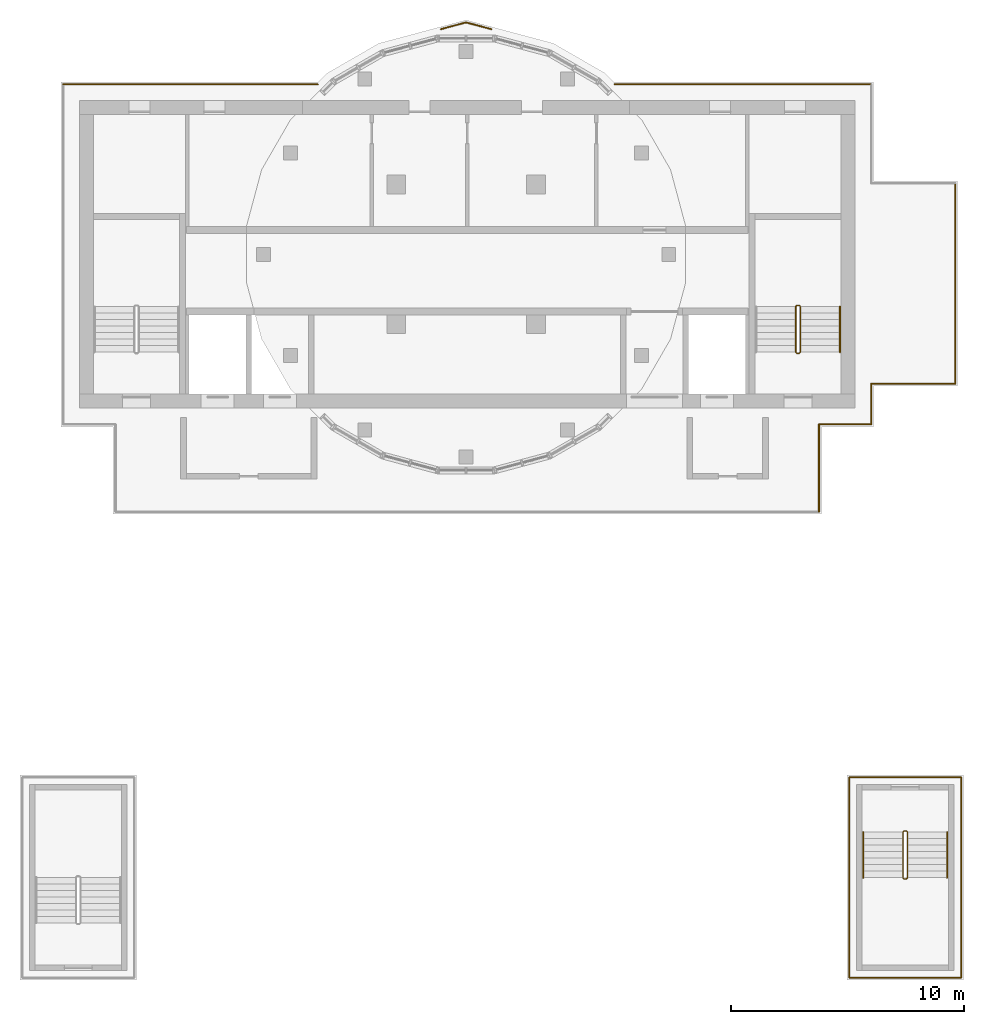
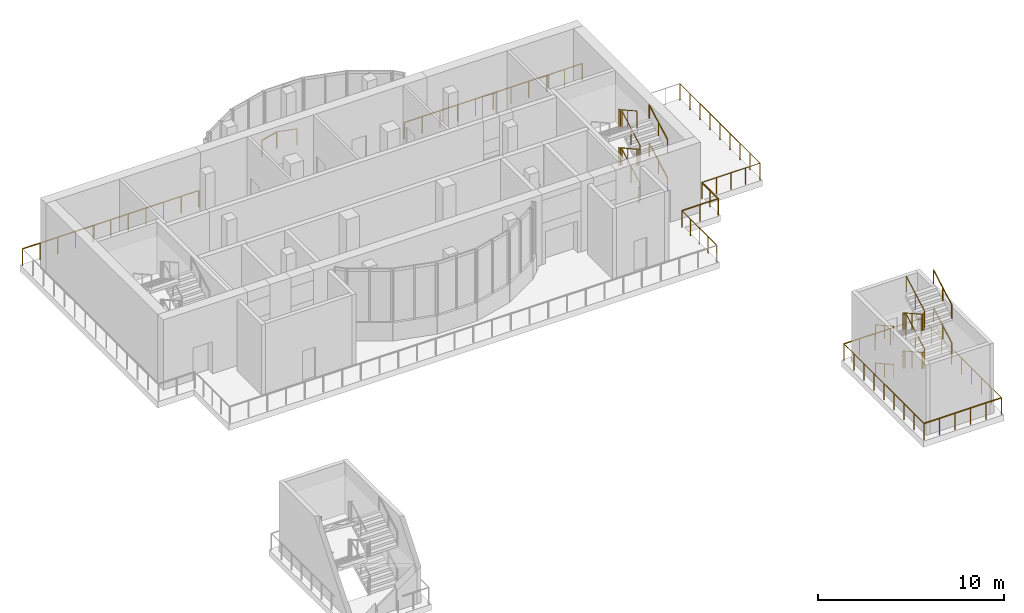
# One storey, part 9 of 10: 21 railings.
"""IFC4 building model written with IfcOpenShell, lengths in metres."""

from ifc_helpers import new_model, si_unit, direction, frame, origin, origin_2d, place, context, subcontext, project, spatial, circle, extrude, material, type_object, element, save


model = new_model("IFC4")

# Units and contexts
model_context = context("Model", 3, precision=1e-05, world=origin(), true_north=direction((0.0, 1.0)))
body_context = subcontext(model_context, "Body", "Model", "MODEL_VIEW")
ifc_project = project(units=[si_unit("LENGTHUNIT", "METRE"), si_unit("AREAUNIT", "SQUARE_METRE"), si_unit("VOLUMEUNIT", "CUBIC_METRE"), si_unit("PLANEANGLEUNIT", "RADIAN"), si_unit("MASSUNIT", "GRAM", prefix="KILO")], contexts=[model_context])

# Site, building, storey
site_placement = place(None, origin())
site = spatial("IfcSite", under=ifc_project, at=site_placement, CompositionType="ELEMENT")
building_placement = place(site_placement, origin())
building = spatial("IfcBuilding", under=site, at=building_placement, Name="Kilnfold Tower and Market Hall", CompositionType="ELEMENT")
storey_placement = place(building_placement, frame((0.0, 0.0, 323.800048828125)))
storey = spatial("IfcBuildingStorey", under=building, at=storey_placement, Name="L81 Crown Plant", CompositionType="ELEMENT", Elevation=323.800048828125)

# Railings
ifc_material_1 = material(Name="Stainless steel 316", Category="steel")
railing_type_1 = type_object("IfcRailingType", Name="CORE STAIR GUARD 1100", PredefinedType="GUARDRAIL", material=ifc_material_1)
railing_1_placement = place(storey_placement, frame((15.199951171875, 10.75, 0.0)))
element("IfcRailing", 1, at=railing_1_placement, inside=storey, type_object=railing_type_1, Name="L81 Crown Plant ST2 stair guard 1", PredefinedType="GUARDRAIL", context=body_context, shape_type="SweptSolid", body=[
    extrude(circle(Radius=0.02392578125, at=origin_2d()), frame((0.0, 0.0, 1.076171875), z_axis=(1.0, 0.0, 0.0), x_axis=(0.0, 1.0, 0.0)), (0.0, 0.0, 1.0), 0.10009765625),
    extrude(circle(Radius=0.02392578125, at=origin_2d()), frame((0.10009765625, 0.0, 1.076171875), z_axis=(0.29177245553, 0.29177245553, 0.91089937336), x_axis=(-0.707106781187, 0.707106781187, 0.0)), (0.0, 0.0, 1.0), 0.171630859375),
    extrude(circle(Radius=0.02392578125, at=origin_2d()), frame((0.150146484375, 0.050048828125, 1.232421875), z_axis=(0.0, 0.873232148454, 0.487304437602), x_axis=(-1.0, 0.0, 0.0)), (0.0, 0.0, 1.0), 2.244384765625),
    extrude(circle(Radius=0.02392578125, at=origin_2d()), frame((0.150146484375, 2.010009765625, 2.326171875), z_axis=(-0.707106781187, 0.707106781187, 0.0), x_axis=(-0.707106781187, -0.707106781187, 0.0)), (0.0, 0.0, 1.0), 0.07080078125),
    extrude(circle(Radius=0.02392578125, at=origin_2d()), frame((0.10009765625, 2.06005859375, 2.326171875), z_axis=(-1.0, 0.0, 0.0), x_axis=(0.0, -1.0, 0.0)), (0.0, 0.0, 1.0), 0.10009765625),
    extrude(circle(Radius=0.02392578125, at=origin_2d()), frame((0.0, 2.06005859375, 2.326171875), z_axis=(-0.29177245553, -0.29177245553, 0.91089937336), x_axis=(0.707106781187, -0.707106781187, 0.0)), (0.0, 0.0, 1.0), 0.171630859375),
    extrude(circle(Radius=0.02392578125, at=origin_2d()), frame((-0.050048828125, 2.010009765625, 2.482421875), z_axis=(0.0, -0.873232148454, 0.487304437602), x_axis=(1.0, 0.0, 0.0)), (0.0, 0.0, 1.0), 2.244384765625),
    extrude(circle(Radius=0.02392578125, at=origin_2d()), frame((-0.050048828125, 0.050048828125, 3.576171875), z_axis=(0.707106781187, -0.707106781187, 0.0), x_axis=(0.707106781187, 0.707106781187, 0.0)), (0.0, 0.0, 1.0), 0.07080078125),
    extrude(circle(Radius=0.02392578125, at=origin_2d()), frame((0.0, 0.0, 3.576171875), z_axis=(1.0, 0.0, 0.0), x_axis=(0.0, 1.0, 0.0)), (0.0, 0.0, 1.0), 0.10009765625),
    extrude(circle(Radius=0.02392578125, at=origin_2d()), frame((0.10009765625, 0.0, 3.576171875), z_axis=(0.29177245553, 0.29177245553, 0.91089937336), x_axis=(-0.707106781187, 0.707106781187, 0.0)), (0.0, 0.0, 1.0), 0.171630859375),
    extrude(circle(Radius=0.02392578125, at=origin_2d()), frame((0.150146484375, 0.050048828125, 3.732421875), z_axis=(0.0, 0.873232148454, 0.487304437602), x_axis=(-1.0, 0.0, 0.0)), (0.0, 0.0, 1.0), 2.244384765625),
    extrude(circle(Radius=0.02392578125, at=origin_2d()), frame((0.150146484375, 2.010009765625, 4.826171875), z_axis=(-0.707106781187, 0.707106781187, 0.0), x_axis=(-0.707106781187, -0.707106781187, 0.0)), (0.0, 0.0, 1.0), 0.07080078125),
    extrude(circle(Radius=0.02392578125, at=origin_2d()), frame((0.10009765625, 2.06005859375, 4.826171875), z_axis=(-1.0, 0.0, 0.0), x_axis=(0.0, -1.0, 0.0)), (0.0, 0.0, 1.0), 0.10009765625),
    extrude(circle(Radius=0.02392578125, at=origin_2d()), frame((0.0, 2.06005859375, 4.826171875), z_axis=(-0.29177245553, -0.29177245553, 0.91089937336), x_axis=(0.707106781187, -0.707106781187, 0.0)), (0.0, 0.0, 1.0), 0.171630859375),
    extrude(circle(Radius=0.02392578125, at=origin_2d()), frame((-0.050048828125, 2.010009765625, 4.982421875), z_axis=(0.0, -0.873232148454, 0.487304437602), x_axis=(1.0, 0.0, 0.0)), (0.0, 0.0, 1.0), 2.244384765625),
    extrude(circle(Radius=0.02099609375, at=origin_2d()), origin(), (0.0, 0.0, 1.0), 1.052001953125),
    extrude(circle(Radius=0.02099609375, at=origin_2d()), frame((0.10009765625, 0.0, 0.0)), (0.0, 0.0, 1.0), 1.052001953125),
    extrude(circle(Radius=0.02099609375, at=origin_2d()), frame((0.150146484375, 0.050048828125, 0.15625)), (0.0, 0.0, 1.0), 1.052001953125),
    extrude(circle(Radius=0.02099609375, at=origin_2d()), frame((0.150146484375, 1.030029296875, 0.703125)), (0.0, 0.0, 1.0), 1.052001953125),
    extrude(circle(Radius=0.02099609375, at=origin_2d()), frame((0.150146484375, 2.010009765625, 1.25)), (0.0, 0.0, 1.0), 1.052001953125),
    extrude(circle(Radius=0.02099609375, at=origin_2d()), frame((0.10009765625, 2.06005859375, 1.25)), (0.0, 0.0, 1.0), 1.052001953125),
    extrude(circle(Radius=0.02099609375, at=origin_2d()), frame((0.0, 2.06005859375, 1.25)), (0.0, 0.0, 1.0), 1.052001953125),
    extrude(circle(Radius=0.02099609375, at=origin_2d()), frame((-0.050048828125, 2.010009765625, 1.40625)), (0.0, 0.0, 1.0), 1.052001953125),
    extrude(circle(Radius=0.02099609375, at=origin_2d()), frame((-0.050048828125, 1.030029296875, 1.953125)), (0.0, 0.0, 1.0), 1.052001953125),
    extrude(circle(Radius=0.02099609375, at=origin_2d()), frame((-0.050048828125, 0.050048828125, 2.5)), (0.0, 0.0, 1.0), 1.052001953125),
    extrude(circle(Radius=0.02099609375, at=origin_2d()), frame((0.0, 0.0, 2.5)), (0.0, 0.0, 1.0), 1.052001953125),
    extrude(circle(Radius=0.02099609375, at=origin_2d()), frame((0.10009765625, 0.0, 2.5)), (0.0, 0.0, 1.0), 1.052001953125),
    extrude(circle(Radius=0.02099609375, at=origin_2d()), frame((0.150146484375, 0.050048828125, 2.65625)), (0.0, 0.0, 1.0), 1.052001953125),
    extrude(circle(Radius=0.02099609375, at=origin_2d()), frame((0.150146484375, 1.030029296875, 3.203125)), (0.0, 0.0, 1.0), 1.052001953125),
    extrude(circle(Radius=0.02099609375, at=origin_2d()), frame((0.150146484375, 2.010009765625, 3.75)), (0.0, 0.0, 1.0), 1.052001953125),
    extrude(circle(Radius=0.02099609375, at=origin_2d()), frame((0.10009765625, 2.06005859375, 3.75)), (0.0, 0.0, 1.0), 1.052001953125),
    extrude(circle(Radius=0.02099609375, at=origin_2d()), frame((0.0, 2.06005859375, 3.75)), (0.0, 0.0, 1.0), 1.052001953125),
    extrude(circle(Radius=0.02099609375, at=origin_2d()), frame((-0.050048828125, 2.010009765625, 3.90625)), (0.0, 0.0, 1.0), 1.052001953125),
    extrude(circle(Radius=0.02099609375, at=origin_2d()), frame((-0.050048828125, 1.030029296875, 4.453125)), (0.0, 0.0, 1.0), 1.052001953125),
    extrude(circle(Radius=0.02099609375, at=origin_2d()), frame((-0.050048828125, 0.050048828125, 5.0)), (0.0, 0.0, 1.0), 1.052001953125),
])
railing_2_placement = place(storey_placement, frame((19.89990234375, -9.75, 0.0)))
element("IfcRailing", 2, at=railing_2_placement, inside=storey, type_object=railing_type_1, Name="L81 Crown Plant ST4 stair guard 1", PredefinedType="GUARDRAIL", context=body_context, shape_type="SweptSolid", body=[
    extrude(circle(Radius=0.02392578125, at=origin_2d()), frame((0.0, 0.0, 1.076171875), z_axis=(-1.0, 0.0, 0.0), x_axis=(0.0, -1.0, 0.0)), (0.0, 0.0, 1.0), 0.099853515625),
    extrude(circle(Radius=0.02392578125, at=origin_2d()), frame((-0.099853515625, 0.0, 1.076171875), z_axis=(-0.29177245553, -0.29177245553, 0.91089937336), x_axis=(0.707106781187, -0.707106781187, 0.0)), (0.0, 0.0, 1.0), 0.171630859375),
    extrude(circle(Radius=0.02392578125, at=origin_2d()), frame((-0.14990234375, -0.050048828125, 1.232421875), z_axis=(0.0, -0.873232148454, 0.487304437602), x_axis=(1.0, 0.0, 0.0)), (0.0, 0.0, 1.0), 2.244384765625),
    extrude(circle(Radius=0.02392578125, at=origin_2d()), frame((-0.14990234375, -2.010009765625, 2.326171875), z_axis=(0.707106781187, -0.707106781187, 0.0), x_axis=(0.707106781187, 0.707106781187, 0.0)), (0.0, 0.0, 1.0), 0.07080078125),
    extrude(circle(Radius=0.02392578125, at=origin_2d()), frame((-0.099853515625, -2.06005859375, 2.326171875), z_axis=(1.0, 0.0, 0.0), x_axis=(0.0, 1.0, 0.0)), (0.0, 0.0, 1.0), 0.099853515625),
    extrude(circle(Radius=0.02392578125, at=origin_2d()), frame((0.0, -2.06005859375, 2.326171875), z_axis=(0.29177245553, 0.29177245553, 0.91089937336), x_axis=(-0.707106781187, 0.707106781187, 0.0)), (0.0, 0.0, 1.0), 0.171630859375),
    extrude(circle(Radius=0.02392578125, at=origin_2d()), frame((0.050048828125, -2.010009765625, 2.482421875), z_axis=(0.0, 0.873232148454, 0.487304437602), x_axis=(-1.0, 0.0, 0.0)), (0.0, 0.0, 1.0), 2.244384765625),
    extrude(circle(Radius=0.02392578125, at=origin_2d()), frame((0.050048828125, -0.050048828125, 3.576171875), z_axis=(-0.707106781187, 0.707106781187, 0.0), x_axis=(-0.707106781187, -0.707106781187, 0.0)), (0.0, 0.0, 1.0), 0.07080078125),
    extrude(circle(Radius=0.02392578125, at=origin_2d()), frame((0.0, 0.0, 3.576171875), z_axis=(-1.0, 0.0, 0.0), x_axis=(0.0, -1.0, 0.0)), (0.0, 0.0, 1.0), 0.099853515625),
    extrude(circle(Radius=0.02392578125, at=origin_2d()), frame((-0.099853515625, 0.0, 3.576171875), z_axis=(-0.29177245553, -0.29177245553, 0.91089937336), x_axis=(0.707106781187, -0.707106781187, 0.0)), (0.0, 0.0, 1.0), 0.171630859375),
    extrude(circle(Radius=0.02392578125, at=origin_2d()), frame((-0.14990234375, -0.050048828125, 3.732421875), z_axis=(0.0, -0.873232148454, 0.487304437602), x_axis=(1.0, 0.0, 0.0)), (0.0, 0.0, 1.0), 2.244384765625),
    extrude(circle(Radius=0.02392578125, at=origin_2d()), frame((-0.14990234375, -2.010009765625, 4.826171875), z_axis=(0.707106781187, -0.707106781187, 0.0), x_axis=(0.707106781187, 0.707106781187, 0.0)), (0.0, 0.0, 1.0), 0.07080078125),
    extrude(circle(Radius=0.02392578125, at=origin_2d()), frame((-0.099853515625, -2.06005859375, 4.826171875), z_axis=(1.0, 0.0, 0.0), x_axis=(0.0, 1.0, 0.0)), (0.0, 0.0, 1.0), 0.099853515625),
    extrude(circle(Radius=0.02392578125, at=origin_2d()), frame((0.0, -2.06005859375, 4.826171875), z_axis=(0.29177245553, 0.29177245553, 0.91089937336), x_axis=(-0.707106781187, 0.707106781187, 0.0)), (0.0, 0.0, 1.0), 0.171630859375),
    extrude(circle(Radius=0.02392578125, at=origin_2d()), frame((0.050048828125, -2.010009765625, 4.982421875), z_axis=(0.0, 0.873232148454, 0.487304437602), x_axis=(-1.0, 0.0, 0.0)), (0.0, 0.0, 1.0), 2.244384765625),
    extrude(circle(Radius=0.02099609375, at=origin_2d()), origin(), (0.0, 0.0, 1.0), 1.052001953125),
    extrude(circle(Radius=0.02099609375, at=origin_2d()), frame((-0.099853515625, 0.0, 0.0)), (0.0, 0.0, 1.0), 1.052001953125),
    extrude(circle(Radius=0.02099609375, at=origin_2d()), frame((-0.14990234375, -0.050048828125, 0.15625)), (0.0, 0.0, 1.0), 1.052001953125),
    extrude(circle(Radius=0.02099609375, at=origin_2d()), frame((-0.14990234375, -1.030029296875, 0.703125)), (0.0, 0.0, 1.0), 1.052001953125),
    extrude(circle(Radius=0.02099609375, at=origin_2d()), frame((-0.14990234375, -2.010009765625, 1.25)), (0.0, 0.0, 1.0), 1.052001953125),
    extrude(circle(Radius=0.02099609375, at=origin_2d()), frame((-0.099853515625, -2.06005859375, 1.25)), (0.0, 0.0, 1.0), 1.052001953125),
    extrude(circle(Radius=0.02099609375, at=origin_2d()), frame((0.0, -2.06005859375, 1.25)), (0.0, 0.0, 1.0), 1.052001953125),
    extrude(circle(Radius=0.02099609375, at=origin_2d()), frame((0.050048828125, -2.010009765625, 1.40625)), (0.0, 0.0, 1.0), 1.052001953125),
    extrude(circle(Radius=0.02099609375, at=origin_2d()), frame((0.050048828125, -1.030029296875, 1.953125)), (0.0, 0.0, 1.0), 1.052001953125),
    extrude(circle(Radius=0.02099609375, at=origin_2d()), frame((0.050048828125, -0.050048828125, 2.5)), (0.0, 0.0, 1.0), 1.052001953125),
    extrude(circle(Radius=0.02099609375, at=origin_2d()), frame((0.0, 0.0, 2.5)), (0.0, 0.0, 1.0), 1.052001953125),
    extrude(circle(Radius=0.02099609375, at=origin_2d()), frame((-0.099853515625, 0.0, 2.5)), (0.0, 0.0, 1.0), 1.052001953125),
    extrude(circle(Radius=0.02099609375, at=origin_2d()), frame((-0.14990234375, -0.050048828125, 2.65625)), (0.0, 0.0, 1.0), 1.052001953125),
    extrude(circle(Radius=0.02099609375, at=origin_2d()), frame((-0.14990234375, -1.030029296875, 3.203125)), (0.0, 0.0, 1.0), 1.052001953125),
    extrude(circle(Radius=0.02099609375, at=origin_2d()), frame((-0.14990234375, -2.010009765625, 3.75)), (0.0, 0.0, 1.0), 1.052001953125),
    extrude(circle(Radius=0.02099609375, at=origin_2d()), frame((-0.099853515625, -2.06005859375, 3.75)), (0.0, 0.0, 1.0), 1.052001953125),
    extrude(circle(Radius=0.02099609375, at=origin_2d()), frame((0.0, -2.06005859375, 3.75)), (0.0, 0.0, 1.0), 1.052001953125),
    extrude(circle(Radius=0.02099609375, at=origin_2d()), frame((0.050048828125, -2.010009765625, 3.90625)), (0.0, 0.0, 1.0), 1.052001953125),
    extrude(circle(Radius=0.02099609375, at=origin_2d()), frame((0.050048828125, -1.030029296875, 4.453125)), (0.0, 0.0, 1.0), 1.052001953125),
    extrude(circle(Radius=0.02099609375, at=origin_2d()), frame((0.050048828125, -0.050048828125, 5.0)), (0.0, 0.0, 1.0), 1.052001953125),
])
ifc_material_2 = material(Name="Stainless steel 316", Category="steel")
railing_type_2 = type_object("IfcRailingType", Name="CORE STAIR HANDRAIL 900", PredefinedType="HANDRAIL", material=ifc_material_2)
for number, where, name in (
    (3, (17.050048828125, 10.800048828125, 0.15625), "L81 Crown Plant ST2 stair handrail 1"),
    (4, (17.050048828125, 10.800048828125, 2.65625), "L81 Crown Plant ST2 stair handrail 3"),
):
    element("IfcRailing", number, at=place(storey_placement, frame(where)), inside=storey, type_object=railing_type_2, Name=name, PredefinedType="HANDRAIL", context=body_context, shape_type="SweptSolid", body=[
        extrude(circle(Radius=0.02392578125, at=origin_2d()), frame((0.0, 0.0, 0.8759765625), z_axis=(0.0, 0.873232148454, 0.487304437602), x_axis=(-1.0, 0.0, 0.0)), (0.0, 0.0, 1.0), 2.244384765625),
        extrude(circle(Radius=0.02099609375, at=origin_2d()), origin(), (0.0, 0.0, 1.0), 0.851806640625),
        extrude(circle(Radius=0.02099609375, at=origin_2d()), frame((0.0, 0.97998046875, 0.546875)), (0.0, 0.0, 1.0), 0.851806640625),
        extrude(circle(Radius=0.02099609375, at=origin_2d()), frame((0.0, 1.9599609375, 1.09375)), (0.0, 0.0, 1.0), 0.851806640625),
    ])
railing_3_placement = place(storey_placement, frame((18.050048828125, -9.800048828125, 0.15625)))
element("IfcRailing", 5, at=railing_3_placement, inside=storey, type_object=railing_type_2, Name="L81 Crown Plant ST4 stair handrail 1", PredefinedType="HANDRAIL", context=body_context, shape_type="SweptSolid", body=[
    extrude(circle(Radius=0.02392578125, at=origin_2d()), frame((0.0, 0.0, 0.8759765625), z_axis=(0.0, -0.873232148454, 0.487304437602), x_axis=(1.0, 0.0, 0.0)), (0.0, 0.0, 1.0), 2.244384765625),
    extrude(circle(Radius=0.02099609375, at=origin_2d()), origin(), (0.0, 0.0, 1.0), 0.851806640625),
    extrude(circle(Radius=0.02099609375, at=origin_2d()), frame((0.0, -0.97998046875, 0.546875)), (0.0, 0.0, 1.0), 0.851806640625),
    extrude(circle(Radius=0.02099609375, at=origin_2d()), frame((0.0, -1.9599609375, 1.09375)), (0.0, 0.0, 1.0), 0.851806640625),
])
railing_4_placement = place(storey_placement, frame((21.64990234375, -11.760009765625, 1.40625)))
element("IfcRailing", 6, at=railing_4_placement, inside=storey, type_object=railing_type_2, Name="L81 Crown Plant ST4 stair handrail 2", PredefinedType="HANDRAIL", context=body_context, shape_type="SweptSolid", body=[
    extrude(circle(Radius=0.02392578125, at=origin_2d()), frame((0.0, 0.0, 0.8759765625), z_axis=(0.0, 0.873232148454, 0.487304437602), x_axis=(-1.0, 0.0, 0.0)), (0.0, 0.0, 1.0), 2.244384765625),
    extrude(circle(Radius=0.02099609375, at=origin_2d()), origin(), (0.0, 0.0, 1.0), 0.851806640625),
    extrude(circle(Radius=0.02099609375, at=origin_2d()), frame((0.0, 0.97998046875, 0.546875)), (0.0, 0.0, 1.0), 0.851806640625),
    extrude(circle(Radius=0.02099609375, at=origin_2d()), frame((0.0, 1.9599609375, 1.09375)), (0.0, 0.0, 1.0), 0.851806640625),
])
railing_5_placement = place(storey_placement, frame((18.050048828125, -9.800048828125, 2.65625)))
element("IfcRailing", 7, at=railing_5_placement, inside=storey, type_object=railing_type_2, Name="L81 Crown Plant ST4 stair handrail 3", PredefinedType="HANDRAIL", context=body_context, shape_type="SweptSolid", body=[
    extrude(circle(Radius=0.02392578125, at=origin_2d()), frame((0.0, 0.0, 0.8759765625), z_axis=(0.0, -0.873232148454, 0.487304437602), x_axis=(1.0, 0.0, 0.0)), (0.0, 0.0, 1.0), 2.244384765625),
    extrude(circle(Radius=0.02099609375, at=origin_2d()), origin(), (0.0, 0.0, 1.0), 0.851806640625),
    extrude(circle(Radius=0.02099609375, at=origin_2d()), frame((0.0, -0.97998046875, 0.546875)), (0.0, 0.0, 1.0), 0.851806640625),
    extrude(circle(Radius=0.02099609375, at=origin_2d()), frame((0.0, -1.9599609375, 1.09375)), (0.0, 0.0, 1.0), 0.851806640625),
])
railing_6_placement = place(storey_placement, frame((21.64990234375, -11.760009765625, 3.90625)))
element("IfcRailing", 8, at=railing_6_placement, inside=storey, type_object=railing_type_2, Name="L81 Crown Plant ST4 stair handrail 4", PredefinedType="HANDRAIL", context=body_context, shape_type="SweptSolid", body=[
    extrude(circle(Radius=0.02392578125, at=origin_2d()), frame((0.0, 0.0, 0.8759765625), z_axis=(0.0, 0.873232148454, 0.487304437602), x_axis=(-1.0, 0.0, 0.0)), (0.0, 0.0, 1.0), 2.244384765625),
    extrude(circle(Radius=0.02099609375, at=origin_2d()), origin(), (0.0, 0.0, 1.0), 0.851806640625),
    extrude(circle(Radius=0.02099609375, at=origin_2d()), frame((0.0, 0.97998046875, 0.546875)), (0.0, 0.0, 1.0), 0.851806640625),
    extrude(circle(Radius=0.02099609375, at=origin_2d()), frame((0.0, 1.9599609375, 1.09375)), (0.0, 0.0, 1.0), 0.851806640625),
])
ifc_material_3 = material(Name="Stainless steel 316", Category="steel")
railing_type_3 = type_object("IfcRailingType", Name="CROWN DECK GUARD 1100", PredefinedType="GUARDRAIL", material=ifc_material_3)
railing_7_placement = place(storey_placement, frame((17.449951171875, -16.050048828125, 0.0)))
element("IfcRailing", 9, at=railing_7_placement, inside=storey, type_object=railing_type_3, Name="Crown deck guard", PredefinedType="GUARDRAIL", context=body_context, shape_type="SweptSolid", body=[
    extrude(circle(Radius=0.02392578125, at=origin_2d()), frame((0.0, 0.0, 1.076171875), z_axis=(0.0, 1.0, 0.0), x_axis=(-1.0, 0.0, 0.0)), (0.0, 0.0, 1.0), 8.60009765625),
    extrude(circle(Radius=0.02099609375, at=origin_2d()), origin(), (0.0, 0.0, 1.0), 1.052001953125),
    extrude(circle(Radius=0.02099609375, at=origin_2d()), frame((0.0, 1.074951171875, 0.0)), (0.0, 0.0, 1.0), 1.052001953125),
    extrude(circle(Radius=0.02099609375, at=origin_2d()), frame((0.0, 2.14990234375, 0.0)), (0.0, 0.0, 1.0), 1.052001953125),
    extrude(circle(Radius=0.02099609375, at=origin_2d()), frame((0.0, 3.22509765625, 0.0)), (0.0, 0.0, 1.0), 1.052001953125),
    extrude(circle(Radius=0.02099609375, at=origin_2d()), frame((0.0, 4.300048828125, 0.0)), (0.0, 0.0, 1.0), 1.052001953125),
    extrude(circle(Radius=0.02099609375, at=origin_2d()), frame((0.0, 5.375, 0.0)), (0.0, 0.0, 1.0), 1.052001953125),
    extrude(circle(Radius=0.02099609375, at=origin_2d()), frame((0.0, 6.4501953125, 0.0)), (0.0, 0.0, 1.0), 1.052001953125),
    extrude(circle(Radius=0.02099609375, at=origin_2d()), frame((0.0, 7.525146484375, 0.0)), (0.0, 0.0, 1.0), 1.052001953125),
    extrude(circle(Radius=0.02099609375, at=origin_2d()), frame((0.0, 8.60009765625, 0.0)), (0.0, 0.0, 1.0), 1.052001953125),
])
railing_8_placement = place(storey_placement, frame((17.449951171875, -7.449951171875, 0.0)))
element("IfcRailing", 10, at=railing_8_placement, inside=storey, type_object=railing_type_3, Name="Crown deck guard", PredefinedType="GUARDRAIL", context=body_context, shape_type="SweptSolid", body=[
    extrude(circle(Radius=0.02392578125, at=origin_2d()), frame((0.0, 0.0, 1.076171875), z_axis=(1.0, 0.0, 0.0), x_axis=(0.0, 1.0, 0.0)), (0.0, 0.0, 1.0), 4.800048828125),
    extrude(circle(Radius=0.02099609375, at=origin_2d()), origin(), (0.0, 0.0, 1.0), 1.052001953125),
    extrude(circle(Radius=0.02099609375, at=origin_2d()), frame((0.9599609375, 0.0, 0.0)), (0.0, 0.0, 1.0), 1.052001953125),
    extrude(circle(Radius=0.02099609375, at=origin_2d()), frame((1.919921875, 0.0, 0.0)), (0.0, 0.0, 1.0), 1.052001953125),
    extrude(circle(Radius=0.02099609375, at=origin_2d()), frame((2.880126953125, 0.0, 0.0)), (0.0, 0.0, 1.0), 1.052001953125),
    extrude(circle(Radius=0.02099609375, at=origin_2d()), frame((3.840087890625, 0.0, 0.0)), (0.0, 0.0, 1.0), 1.052001953125),
    extrude(circle(Radius=0.02099609375, at=origin_2d()), frame((4.800048828125, 0.0, 0.0)), (0.0, 0.0, 1.0), 1.052001953125),
])
railing_9_placement = place(storey_placement, frame((22.25, -7.449951171875, 0.0)))
element("IfcRailing", 11, at=railing_9_placement, inside=storey, type_object=railing_type_3, Name="Crown deck guard", PredefinedType="GUARDRAIL", context=body_context, shape_type="SweptSolid", body=[
    extrude(circle(Radius=0.02392578125, at=origin_2d()), frame((0.0, 0.0, 1.076171875), z_axis=(0.0, -1.0, 0.0), x_axis=(1.0, 0.0, 0.0)), (0.0, 0.0, 1.0), 8.60009765625),
    extrude(circle(Radius=0.02099609375, at=origin_2d()), origin(), (0.0, 0.0, 1.0), 1.052001953125),
    extrude(circle(Radius=0.02099609375, at=origin_2d()), frame((0.0, -1.074951171875, 0.0)), (0.0, 0.0, 1.0), 1.052001953125),
    extrude(circle(Radius=0.02099609375, at=origin_2d()), frame((0.0, -2.14990234375, 0.0)), (0.0, 0.0, 1.0), 1.052001953125),
    extrude(circle(Radius=0.02099609375, at=origin_2d()), frame((0.0, -3.22509765625, 0.0)), (0.0, 0.0, 1.0), 1.052001953125),
    extrude(circle(Radius=0.02099609375, at=origin_2d()), frame((0.0, -4.300048828125, 0.0)), (0.0, 0.0, 1.0), 1.052001953125),
    extrude(circle(Radius=0.02099609375, at=origin_2d()), frame((0.0, -5.375, 0.0)), (0.0, 0.0, 1.0), 1.052001953125),
    extrude(circle(Radius=0.02099609375, at=origin_2d()), frame((0.0, -6.4501953125, 0.0)), (0.0, 0.0, 1.0), 1.052001953125),
    extrude(circle(Radius=0.02099609375, at=origin_2d()), frame((0.0, -7.525146484375, 0.0)), (0.0, 0.0, 1.0), 1.052001953125),
    extrude(circle(Radius=0.02099609375, at=origin_2d()), frame((0.0, -8.60009765625, 0.0)), (0.0, 0.0, 1.0), 1.052001953125),
])
railing_10_placement = place(storey_placement, frame((22.25, -16.050048828125, 0.0)))
element("IfcRailing", 12, at=railing_10_placement, inside=storey, type_object=railing_type_3, Name="Crown deck guard", PredefinedType="GUARDRAIL", context=body_context, shape_type="SweptSolid", body=[
    extrude(circle(Radius=0.02392578125, at=origin_2d()), frame((0.0, 0.0, 1.076171875), z_axis=(-1.0, 0.0, 0.0), x_axis=(0.0, -1.0, 0.0)), (0.0, 0.0, 1.0), 4.800048828125),
    extrude(circle(Radius=0.02099609375, at=origin_2d()), origin(), (0.0, 0.0, 1.0), 1.052001953125),
    extrude(circle(Radius=0.02099609375, at=origin_2d()), frame((-0.9599609375, 0.0, 0.0)), (0.0, 0.0, 1.0), 1.052001953125),
    extrude(circle(Radius=0.02099609375, at=origin_2d()), frame((-1.919921875, 0.0, 0.0)), (0.0, 0.0, 1.0), 1.052001953125),
    extrude(circle(Radius=0.02099609375, at=origin_2d()), frame((-2.880126953125, 0.0, 0.0)), (0.0, 0.0, 1.0), 1.052001953125),
    extrude(circle(Radius=0.02099609375, at=origin_2d()), frame((-3.840087890625, 0.0, 0.0)), (0.0, 0.0, 1.0), 1.052001953125),
    extrude(circle(Radius=0.02099609375, at=origin_2d()), frame((-4.800048828125, 0.0, 0.0)), (0.0, 0.0, 1.0), 1.052001953125),
])
railing_11_placement = place(storey_placement, frame((-16.300048828125, 22.300048828125, 0.0)))
element("IfcRailing", 13, at=railing_11_placement, inside=storey, type_object=railing_type_3, Name="Crown deck guard", PredefinedType="GUARDRAIL", context=body_context, shape_type="SweptSolid", body=[
    extrude(circle(Radius=0.02392578125, at=origin_2d()), frame((0.0, 0.0, 1.076171875), z_axis=(1.0, 0.0, 0.0), x_axis=(0.0, 1.0, 0.0)), (0.0, 0.0, 1.0), 10.92626953125),
    extrude(circle(Radius=0.02099609375, at=origin_2d()), origin(), (0.0, 0.0, 1.0), 1.052001953125),
    extrude(circle(Radius=0.02099609375, at=origin_2d()), frame((1.092529296875, 0.0, 0.0)), (0.0, 0.0, 1.0), 1.052001953125),
    extrude(circle(Radius=0.02099609375, at=origin_2d()), frame((2.185302734375, 0.0, 0.0)), (0.0, 0.0, 1.0), 1.052001953125),
    extrude(circle(Radius=0.02099609375, at=origin_2d()), frame((3.27783203125, 0.0, 0.0)), (0.0, 0.0, 1.0), 1.052001953125),
    extrude(circle(Radius=0.02099609375, at=origin_2d()), frame((4.37060546875, 0.0, 0.0)), (0.0, 0.0, 1.0), 1.052001953125),
    extrude(circle(Radius=0.02099609375, at=origin_2d()), frame((5.463134765625, 0.0, 0.0)), (0.0, 0.0, 1.0), 1.052001953125),
    extrude(circle(Radius=0.02099609375, at=origin_2d()), frame((6.5556640625, 0.0, 0.0)), (0.0, 0.0, 1.0), 1.052001953125),
    extrude(circle(Radius=0.02099609375, at=origin_2d()), frame((7.6484375, 0.0, 0.0)), (0.0, 0.0, 1.0), 1.052001953125),
    extrude(circle(Radius=0.02099609375, at=origin_2d()), frame((8.740966796875, 0.0, 0.0)), (0.0, 0.0, 1.0), 1.052001953125),
    extrude(circle(Radius=0.02099609375, at=origin_2d()), frame((9.833740234375, 0.0, 0.0)), (0.0, 0.0, 1.0), 1.052001953125),
    extrude(circle(Radius=0.02099609375, at=origin_2d()), frame((10.92626953125, 0.0, 0.0)), (0.0, 0.0, 1.0), 1.052001953125),
])
railing_12_placement = place(storey_placement, frame((-0.079833984375, 24.668701171875, 0.0)))
element("IfcRailing", 14, at=railing_12_placement, inside=storey, type_object=railing_type_3, Name="Crown deck guard", PredefinedType="GUARDRAIL", context=body_context, shape_type="SweptSolid", body=[
    extrude(circle(Radius=0.02392578125, at=origin_2d()), frame((0.0, 0.0, 1.076171875), z_axis=(0.965933430066, 0.258790665754, 0.0), x_axis=(-0.258790665754, 0.965933430066, 0.0)), (0.0, 0.0, 1.0), 1.117919921875),
    extrude(circle(Radius=0.02099609375, at=origin_2d()), origin(), (0.0, 0.0, 1.0), 1.052001953125),
    extrude(circle(Radius=0.02099609375, at=origin_2d()), frame((1.079833984375, 0.289306640625, 0.0)), (0.0, 0.0, 1.0), 1.052001953125),
])
railing_13_placement = place(storey_placement, frame((1.0, 24.9580078125, 0.0)))
element("IfcRailing", 15, at=railing_13_placement, inside=storey, type_object=railing_type_3, Name="Crown deck guard", PredefinedType="GUARDRAIL", context=body_context, shape_type="SweptSolid", body=[
    extrude(circle(Radius=0.02392578125, at=origin_2d()), frame((0.0, 0.0, 1.076171875), z_axis=(0.965933430066, -0.258790665754, 0.0), x_axis=(0.258790665754, 0.965933430066, 0.0)), (0.0, 0.0, 1.0), 1.117919921875),
    extrude(circle(Radius=0.02099609375, at=origin_2d()), origin(), (0.0, 0.0, 1.0), 1.052001953125),
    extrude(circle(Radius=0.02099609375, at=origin_2d()), frame((1.079833984375, -0.289306640625, 0.0)), (0.0, 0.0, 1.0), 1.052001953125),
])
railing_14_placement = place(storey_placement, frame((7.373779296875, 22.300048828125, 0.0)))
element("IfcRailing", 16, at=railing_14_placement, inside=storey, type_object=railing_type_3, Name="Crown deck guard", PredefinedType="GUARDRAIL", context=body_context, shape_type="SweptSolid", body=[
    extrude(circle(Radius=0.02392578125, at=origin_2d()), frame((0.0, 0.0, 1.076171875), z_axis=(1.0, 0.0, 0.0), x_axis=(0.0, 1.0, 0.0)), (0.0, 0.0, 1.0), 11.026123046875),
    extrude(circle(Radius=0.02099609375, at=origin_2d()), origin(), (0.0, 0.0, 1.0), 1.052001953125),
    extrude(circle(Radius=0.02099609375, at=origin_2d()), frame((1.1025390625, 0.0, 0.0)), (0.0, 0.0, 1.0), 1.052001953125),
    extrude(circle(Radius=0.02099609375, at=origin_2d()), frame((2.205322265625, 0.0, 0.0)), (0.0, 0.0, 1.0), 1.052001953125),
    extrude(circle(Radius=0.02099609375, at=origin_2d()), frame((3.307861328125, 0.0, 0.0)), (0.0, 0.0, 1.0), 1.052001953125),
    extrude(circle(Radius=0.02099609375, at=origin_2d()), frame((4.410400390625, 0.0, 0.0)), (0.0, 0.0, 1.0), 1.052001953125),
    extrude(circle(Radius=0.02099609375, at=origin_2d()), frame((5.51318359375, 0.0, 0.0)), (0.0, 0.0, 1.0), 1.052001953125),
    extrude(circle(Radius=0.02099609375, at=origin_2d()), frame((6.61572265625, 0.0, 0.0)), (0.0, 0.0, 1.0), 1.052001953125),
    extrude(circle(Radius=0.02099609375, at=origin_2d()), frame((7.71826171875, 0.0, 0.0)), (0.0, 0.0, 1.0), 1.052001953125),
    extrude(circle(Radius=0.02099609375, at=origin_2d()), frame((8.82080078125, 0.0, 0.0)), (0.0, 0.0, 1.0), 1.052001953125),
    extrude(circle(Radius=0.02099609375, at=origin_2d()), frame((9.923583984375, 0.0, 0.0)), (0.0, 0.0, 1.0), 1.052001953125),
    extrude(circle(Radius=0.02099609375, at=origin_2d()), frame((11.026123046875, 0.0, 0.0)), (0.0, 0.0, 1.0), 1.052001953125),
])
railing_15_placement = place(storey_placement, frame((22.0, 18.050048828125, 0.0)))
element("IfcRailing", 17, at=railing_15_placement, inside=storey, type_object=railing_type_3, Name="Crown deck guard", PredefinedType="GUARDRAIL", context=body_context, shape_type="SweptSolid", body=[
    extrude(circle(Radius=0.02392578125, at=origin_2d()), frame((0.0, 0.0, 1.076171875), z_axis=(0.0, -1.0, 0.0), x_axis=(1.0, 0.0, 0.0)), (0.0, 0.0, 1.0), 8.60009765625),
    extrude(circle(Radius=0.02099609375, at=origin_2d()), origin(), (0.0, 0.0, 1.0), 1.052001953125),
    extrude(circle(Radius=0.02099609375, at=origin_2d()), frame((0.0, -1.074951171875, 0.0)), (0.0, 0.0, 1.0), 1.052001953125),
    extrude(circle(Radius=0.02099609375, at=origin_2d()), frame((0.0, -2.14990234375, 0.0)), (0.0, 0.0, 1.0), 1.052001953125),
    extrude(circle(Radius=0.02099609375, at=origin_2d()), frame((0.0, -3.22509765625, 0.0)), (0.0, 0.0, 1.0), 1.052001953125),
    extrude(circle(Radius=0.02099609375, at=origin_2d()), frame((0.0, -4.300048828125, 0.0)), (0.0, 0.0, 1.0), 1.052001953125),
    extrude(circle(Radius=0.02099609375, at=origin_2d()), frame((0.0, -5.375, 0.0)), (0.0, 0.0, 1.0), 1.052001953125),
    extrude(circle(Radius=0.02099609375, at=origin_2d()), frame((0.0, -6.4501953125, 0.0)), (0.0, 0.0, 1.0), 1.052001953125),
    extrude(circle(Radius=0.02099609375, at=origin_2d()), frame((0.0, -7.525146484375, 0.0)), (0.0, 0.0, 1.0), 1.052001953125),
    extrude(circle(Radius=0.02099609375, at=origin_2d()), frame((0.0, -8.60009765625, 0.0)), (0.0, 0.0, 1.0), 1.052001953125),
])
railing_16_placement = place(storey_placement, frame((22.0, 9.449951171875, 0.0)))
element("IfcRailing", 18, at=railing_16_placement, inside=storey, type_object=railing_type_3, Name="Crown deck guard", PredefinedType="GUARDRAIL", context=body_context, shape_type="SweptSolid", body=[
    extrude(circle(Radius=0.02392578125, at=origin_2d()), frame((0.0, 0.0, 1.076171875), z_axis=(-1.0, 0.0, 0.0), x_axis=(0.0, -1.0, 0.0)), (0.0, 0.0, 1.0), 3.60009765625),
    extrude(circle(Radius=0.02099609375, at=origin_2d()), origin(), (0.0, 0.0, 1.0), 1.052001953125),
    extrude(circle(Radius=0.02099609375, at=origin_2d()), frame((-0.89990234375, 0.0, 0.0)), (0.0, 0.0, 1.0), 1.052001953125),
    extrude(circle(Radius=0.02099609375, at=origin_2d()), frame((-1.800048828125, 0.0, 0.0)), (0.0, 0.0, 1.0), 1.052001953125),
    extrude(circle(Radius=0.02099609375, at=origin_2d()), frame((-2.7001953125, 0.0, 0.0)), (0.0, 0.0, 1.0), 1.052001953125),
    extrude(circle(Radius=0.02099609375, at=origin_2d()), frame((-3.60009765625, 0.0, 0.0)), (0.0, 0.0, 1.0), 1.052001953125),
])
railing_17_placement = place(storey_placement, frame((18.39990234375, 9.449951171875, 0.0)))
element("IfcRailing", 19, at=railing_17_placement, inside=storey, type_object=railing_type_3, Name="Crown deck guard", PredefinedType="GUARDRAIL", context=body_context, shape_type="SweptSolid", body=[
    extrude(circle(Radius=0.02392578125, at=origin_2d()), frame((0.0, 0.0, 1.076171875), z_axis=(0.0, -1.0, 0.0), x_axis=(1.0, 0.0, 0.0)), (0.0, 0.0, 1.0), 1.75),
    extrude(circle(Radius=0.02099609375, at=origin_2d()), origin(), (0.0, 0.0, 1.0), 1.052001953125),
    extrude(circle(Radius=0.02099609375, at=origin_2d()), frame((0.0, -0.875, 0.0)), (0.0, 0.0, 1.0), 1.052001953125),
    extrude(circle(Radius=0.02099609375, at=origin_2d()), frame((0.0, -1.75, 0.0)), (0.0, 0.0, 1.0), 1.052001953125),
])
railing_18_placement = place(storey_placement, frame((18.39990234375, 7.699951171875, 0.0)))
element("IfcRailing", 20, at=railing_18_placement, inside=storey, type_object=railing_type_3, Name="Crown deck guard", PredefinedType="GUARDRAIL", context=body_context, shape_type="SweptSolid", body=[
    extrude(circle(Radius=0.02392578125, at=origin_2d()), frame((0.0, 0.0, 1.076171875), z_axis=(-1.0, 0.0, 0.0), x_axis=(0.0, -1.0, 0.0)), (0.0, 0.0, 1.0), 2.25),
    extrude(circle(Radius=0.02099609375, at=origin_2d()), origin(), (0.0, 0.0, 1.0), 1.052001953125),
    extrude(circle(Radius=0.02099609375, at=origin_2d()), frame((-1.125, 0.0, 0.0)), (0.0, 0.0, 1.0), 1.052001953125),
    extrude(circle(Radius=0.02099609375, at=origin_2d()), frame((-2.25, 0.0, 0.0)), (0.0, 0.0, 1.0), 1.052001953125),
])
railing_19_placement = place(storey_placement, frame((16.14990234375, 7.699951171875, 0.0)))
element("IfcRailing", 21, at=railing_19_placement, inside=storey, type_object=railing_type_3, Name="Crown deck guard", PredefinedType="GUARDRAIL", context=body_context, shape_type="SweptSolid", body=[
    extrude(circle(Radius=0.02392578125, at=origin_2d()), frame((0.0, 0.0, 1.076171875), z_axis=(0.0, -1.0, 0.0), x_axis=(1.0, 0.0, 0.0)), (0.0, 0.0, 1.0), 3.75),
    extrude(circle(Radius=0.02099609375, at=origin_2d()), origin(), (0.0, 0.0, 1.0), 1.052001953125),
    extrude(circle(Radius=0.02099609375, at=origin_2d()), frame((0.0, -0.9375, 0.0)), (0.0, 0.0, 1.0), 1.052001953125),
    extrude(circle(Radius=0.02099609375, at=origin_2d()), frame((0.0, -1.875, 0.0)), (0.0, 0.0, 1.0), 1.052001953125),
    extrude(circle(Radius=0.02099609375, at=origin_2d()), frame((0.0, -2.8125, 0.0)), (0.0, 0.0, 1.0), 1.052001953125),
    extrude(circle(Radius=0.02099609375, at=origin_2d()), frame((0.0, -3.75, 0.0)), (0.0, 0.0, 1.0), 1.052001953125),
])

save(model, "model.ifc")
